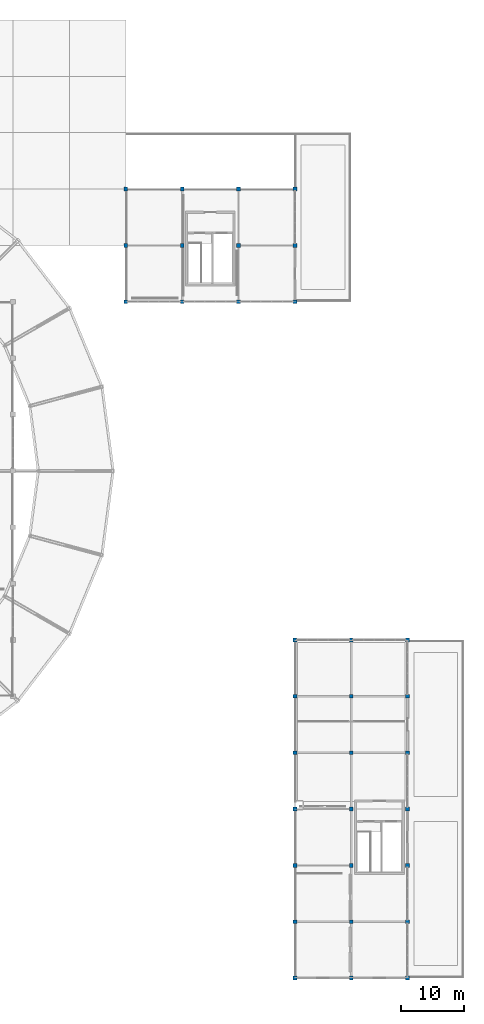
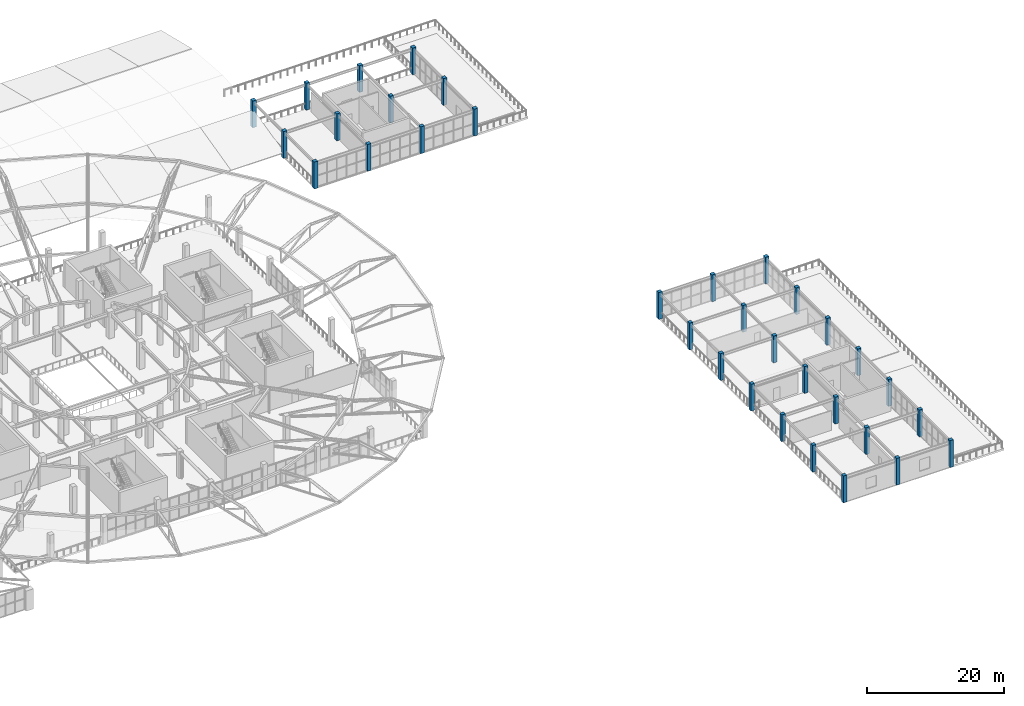
# One storey, part 2 of 167: 33 columns.
"""IFC4 building model written with IfcOpenShell, lengths in metres."""

from ifc_helpers import new_model, si_unit, direction, frame, origin, origin_2d, place, context, subcontext, project, spatial, rectangle, extrude, material, material_profile, profile_set, type_object, element, save


model = new_model("IFC4")

# Units and contexts
model_context = context("Model", 3, precision=1e-05, world=origin(), true_north=direction((0.0, 1.0)))
body_context = subcontext(model_context, "Body", "Model", "MODEL_VIEW")
ifc_project = project(units=[si_unit("LENGTHUNIT", "METRE"), si_unit("AREAUNIT", "SQUARE_METRE"), si_unit("VOLUMEUNIT", "CUBIC_METRE"), si_unit("PLANEANGLEUNIT", "RADIAN"), si_unit("MASSUNIT", "GRAM", prefix="KILO")], contexts=[model_context])

# Site, building, storey
site_placement = place(None, origin())
site = spatial("IfcSite", under=ifc_project, at=site_placement, CompositionType="ELEMENT")
building_placement = place(site_placement, origin())
building = spatial("IfcBuilding", under=site, at=building_placement, Name="Dornveld Trade and Exhibition Forum", CompositionType="ELEMENT")
storey_placement = place(building_placement, frame((0.0, 0.0, 16.800048828125)))
storey = spatial("IfcBuildingStorey", under=building, at=storey_placement, Name="L03", CompositionType="ELEMENT", Elevation=16.800048828125)

# Columns
ifc_material = material(Name="Precast concrete C50/60", Category="concrete")
ifc_material_profile = material_profile(ifc_material, rectangle(XDim=0.60009765625, YDim=0.60009765625, at=origin_2d()), Name="PC-COL 600x600")
ifc_profile_set = profile_set([ifc_material_profile], Name="Precast concrete C50/60")
column_type = type_object("IfcColumnType", Name="COL-PC600", PredefinedType="COLUMN", material=ifc_profile_set)
for number, where, z_axis, x_axis, name in (
    (1, (171.0, 108.0, 0.0), (0.0, 0.0, 1.0), (1.0, 0.0, 0.0), "L03 column (171.0, 108.0)"),
    (2, (171.0, 117.0, 0.0), (0.0, 0.0, 1.0), (1.0, 0.0, 0.0), "L03 column (171.0, 117.0)"),
    (3, (171.0, 126.0, 0.0), (0.0, 0.0, 1.0), (1.0, 0.0, 0.0), "L03 column (171.0, 126.0)"),
    (4, (180.0, 108.0, 0.0), (0.0, 0.0, 1.0), (1.0, 0.0, 0.0), "L03 column (180.0, 108.0)"),
    (5, (180.0, 117.0, 0.0), (0.0, 0.0, 1.0), (1.0, 0.0, 0.0), "L03 column (180.0, 117.0)"),
    (6, (180.0, 126.0, 0.0), (0.0, 0.0, 1.0), (1.0, 0.0, 0.0), "L03 column (180.0, 126.0)"),
    (7, (189.0, 108.0, 0.0), (0.0, 0.0, 1.0), (1.0, 0.0, 0.0), "L03 column (189.0, 108.0)"),
    (8, (189.0, 117.0, 0.0), (0.0, 0.0, 1.0), (1.0, 0.0, 0.0), "L03 column (189.0, 117.0)"),
    (9, (189.0, 126.0, 0.0), (0.0, 0.0, 1.0), (1.0, 0.0, 0.0), "L03 column (189.0, 126.0)"),
    (10, (198.0, 0.0, 0.0), (0.0, 0.0, 1.0), (1.0, 0.0, 0.0), "L03 column (198.0, 0.0)"),
    (11, (198.0, 9.0, 0.0), (0.0, 0.0, 1.0), (1.0, 0.0, 0.0), "L03 column (198.0, 9.0)"),
    (12, (198.0, 18.0, 0.0), (0.0, 0.0, 1.0), (1.0, 0.0, 0.0), "L03 column (198.0, 18.0)"),
    (13, (198.0, 27.0, 0.0), (0.0, 0.0, 1.0), (1.0, 0.0, 0.0), "L03 column (198.0, 27.0)"),
    (14, (198.0, 36.0, 0.0), (0.0, 0.0, 1.0), (1.0, 0.0, 0.0), "L03 column (198.0, 36.0)"),
    (15, (198.0, 45.0, 0.0), (0.0, 0.0, 1.0), (1.0, 0.0, 0.0), "L03 column (198.0, 45.0)"),
    (16, (198.0, 54.0, 0.0), (0.0, 0.0, 1.0), (1.0, 0.0, 0.0), "L03 column (198.0, 54.0)"),
    (17, (198.0, 108.0, 0.0), (0.0, 0.0, 1.0), (1.0, 0.0, 0.0), "L03 column (198.0, 108.0)"),
    (18, (198.0, 117.0, 0.0), (0.0, 0.0, 1.0), (1.0, 0.0, 0.0), "L03 column (198.0, 117.0)"),
    (19, (198.0, 126.0, 0.0), (0.0, 0.0, 1.0), (1.0, 0.0, 0.0), "L03 column (198.0, 126.0)"),
    (20, (207.0, 0.0, 0.0), (0.0, 0.0, 1.0), (1.0, 0.0, 0.0), "L03 column (207.0, 0.0)"),
    (21, (207.0, 9.0, 0.0), (0.0, 0.0, 1.0), (1.0, 0.0, 0.0), "L03 column (207.0, 9.0)"),
    (22, (207.0, 18.0, 0.0), (0.0, 0.0, 1.0), (1.0, 0.0, 0.0), "L03 column (207.0, 18.0)"),
    (23, (207.0, 27.0, 0.0), (0.0, 0.0, 1.0), (1.0, 0.0, 0.0), "L03 column (207.0, 27.0)"),
    (24, (207.0, 36.0, 0.0), (0.0, 0.0, 1.0), (1.0, 0.0, 0.0), "L03 column (207.0, 36.0)"),
    (25, (207.0, 45.0, 0.0), (0.0, 0.0, 1.0), (1.0, 0.0, 0.0), "L03 column (207.0, 45.0)"),
    (26, (207.0, 54.0, 0.0), (0.0, 0.0, 1.0), (1.0, 0.0, 0.0), "L03 column (207.0, 54.0)"),
    (27, (216.0, 0.0, 0.0), (0.0, 0.0, 1.0), (1.0, 0.0, 0.0), "L03 column (216.0, 0.0)"),
    (28, (216.0, 9.0, 0.0), (0.0, 0.0, 1.0), (1.0, 0.0, 0.0), "L03 column (216.0, 9.0)"),
    (29, (216.0, 18.0, 0.0), (0.0, 0.0, 1.0), (1.0, 0.0, 0.0), "L03 column (216.0, 18.0)"),
    (30, (216.0, 27.0, 0.0), (0.0, 0.0, 1.0), (1.0, 0.0, 0.0), "L03 column (216.0, 27.0)"),
    (31, (216.0, 36.0, 0.0), (0.0, 0.0, 1.0), (1.0, 0.0, 0.0), "L03 column (216.0, 36.0)"),
    (32, (216.0, 45.0, 0.0), (0.0, 0.0, 1.0), (1.0, 0.0, 0.0), "L03 column (216.0, 45.0)"),
    (33, (216.0, 54.0, 0.0), (0.0, 0.0, 1.0), (1.0, 0.0, 0.0), "L03 column (216.0, 54.0)"),
):
    element("IfcColumn", number, at=place(storey_placement, frame(where, z_axis=z_axis, x_axis=x_axis)), inside=storey, type_object=column_type, Name=name, PredefinedType="COLUMN", context=body_context, shape_type="SweptSolid", body=[
        extrude(rectangle(XDim=0.60009765625, YDim=0.60009765625, at=origin_2d()), origin(), (0.0, 0.0, 1.0), 4.800048828125),
    ])

save(model, "model.ifc")
